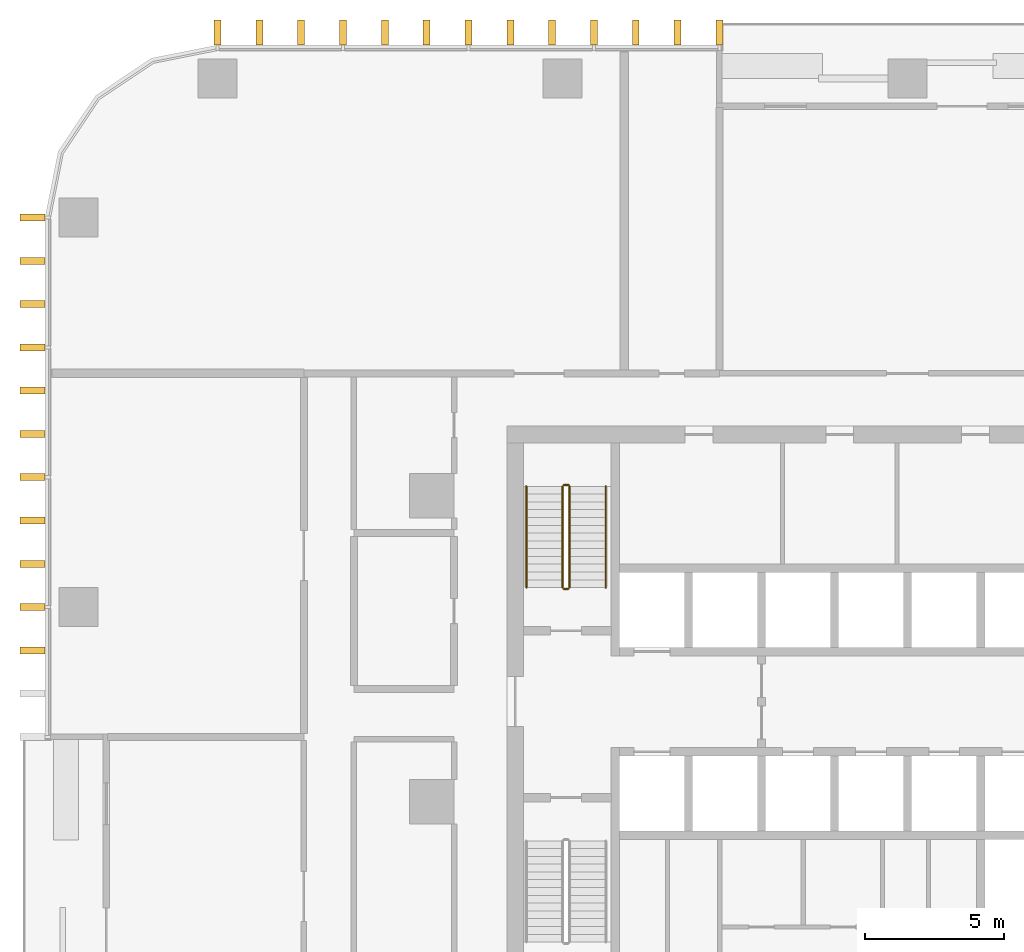
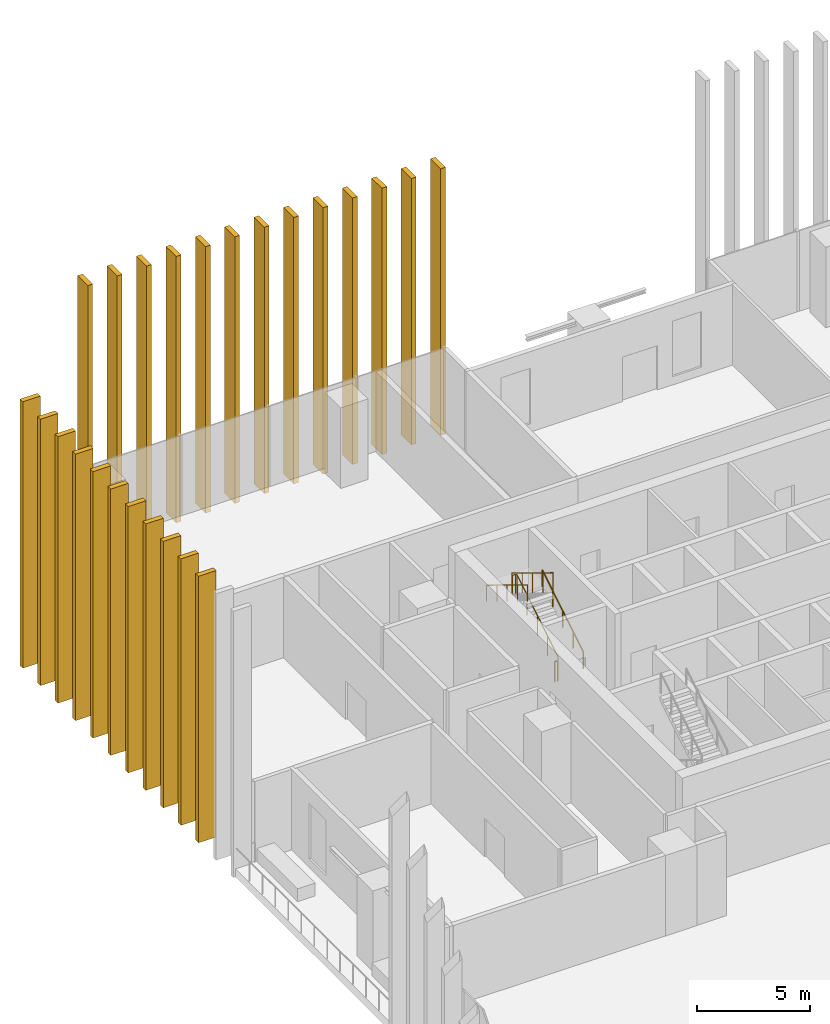
# One storey, part 15 of 17: 24 shading devices, 5 railings.
"""IFC4 building model written with IfcOpenShell, lengths in metres."""

from ifc_helpers import new_model, si_unit, direction, frame, origin, origin_2d, place, context, subcontext, project, spatial, rectangle, circle, extrude, material, type_object, element, save


model = new_model("IFC4")

# Units and contexts
model_context = context("Model", 3, precision=1e-05, world=origin(), true_north=direction((0.0, 1.0)))
body_context = subcontext(model_context, "Body", "Model", "MODEL_VIEW")
ifc_project = project(units=[si_unit("LENGTHUNIT", "METRE"), si_unit("AREAUNIT", "SQUARE_METRE"), si_unit("VOLUMEUNIT", "CUBIC_METRE"), si_unit("PLANEANGLEUNIT", "RADIAN"), si_unit("MASSUNIT", "GRAM", prefix="KILO")], contexts=[model_context])

# Site, building, storey
site_placement = place(None, origin())
site = spatial("IfcSite", under=ifc_project, at=site_placement, CompositionType="ELEMENT")
building_placement = place(site_placement, origin())
building = spatial("IfcBuilding", under=site, at=building_placement, Name="Mopane Tessera Tower", CompositionType="ELEMENT")
storey_placement = place(building_placement, frame((0.0, 0.0, 31.0)))
storey = spatial("IfcBuildingStorey", under=building, at=storey_placement, Name="L05", CompositionType="ELEMENT", Elevation=31.0)

# Shading devices
ifc_material_1 = material(Name="Glazed ceramic tile")
shading_device_type = type_object("IfcShadingDeviceType", Name="Ceramic tile fin 900 x 250 mm", PredefinedType="USERDEFINED", material=ifc_material_1)
for number, where, z_axis, x_axis, name in (
    (1, (-6.763671875, 27.64990234375, -0.449951171875), (0.0, 0.0, 1.0), (-1.0, 0.0, 0.0), "e:fin:L05:N:7:0"),
    (2, (-8.2666015625, 27.64990234375, -0.449951171875), (0.0, 0.0, 1.0), (-1.0, 0.0, 0.0), "e:fin:L05:N:7:1"),
    (3, (-9.769775390625, 27.64990234375, -0.449951171875), (0.0, 0.0, 1.0), (-1.0, 0.0, 0.0), "e:fin:L05:N:7:2"),
    (4, (-11.272705078125, 27.64990234375, -0.449951171875), (0.0, 0.0, 1.0), (-1.0, 0.0, 0.0), "e:fin:L05:N:8:0"),
    (5, (-12.77587890625, 27.64990234375, -0.449951171875), (0.0, 0.0, 1.0), (-1.0, 0.0, 0.0), "e:fin:L05:N:8:1"),
    (6, (-14.27880859375, 27.64990234375, -0.449951171875), (0.0, 0.0, 1.0), (-1.0, 0.0, 0.0), "e:fin:L05:N:8:2"),
    (7, (-15.78173828125, 27.64990234375, -0.449951171875), (0.0, 0.0, 1.0), (-1.0, 0.0, 0.0), "e:fin:L05:N:9:0"),
    (8, (-17.284912109375, 27.64990234375, -0.449951171875), (0.0, 0.0, 1.0), (-1.0, 0.0, 0.0), "e:fin:L05:N:9:1"),
    (9, (-18.787841796875, 27.64990234375, -0.449951171875), (0.0, 0.0, 1.0), (-1.0, 0.0, 0.0), "e:fin:L05:N:9:2"),
    (10, (-20.291015625, 27.64990234375, -0.449951171875), (0.0, 0.0, 1.0), (-1.0, 0.0, 0.0), "e:fin:L05:N:10:0"),
    (11, (-21.7939453125, 27.64990234375, -0.449951171875), (0.0, 0.0, 1.0), (-1.0, 0.0, 0.0), "e:fin:L05:N:10:1"),
    (12, (-23.296875, 27.64990234375, -0.449951171875), (0.0, 0.0, 1.0), (-1.0, 0.0, 0.0), "e:fin:L05:N:10:2"),
    (13, (-24.800048828125, 27.64990234375, -0.449951171875), (0.0, 0.0, 1.0), (-1.0, 0.0, 0.0), "e:fin:L05:N:10:3"),
    (14, (-31.449951171875, 21.0, -0.449951171875), (0.0, 0.0, 1.0), (0.0, -1.0, 0.0), "e:fin:L05:W:0:0"),
    (15, (-31.449951171875, 19.4443359375, -0.449951171875), (0.0, 0.0, 1.0), (0.0, -1.0, 0.0), "e:fin:L05:W:0:1"),
    (16, (-31.449951171875, 17.888916015625, -0.449951171875), (0.0, 0.0, 1.0), (0.0, -1.0, 0.0), "e:fin:L05:W:0:2"),
    (17, (-31.449951171875, 16.333251953125, -0.449951171875), (0.0, 0.0, 1.0), (0.0, -1.0, 0.0), "e:fin:L05:W:1:0"),
    (18, (-31.449951171875, 14.77783203125, -0.449951171875), (0.0, 0.0, 1.0), (0.0, -1.0, 0.0), "e:fin:L05:W:1:1"),
    (19, (-31.449951171875, 13.22216796875, -0.449951171875), (0.0, 0.0, 1.0), (0.0, -1.0, 0.0), "e:fin:L05:W:1:2"),
    (20, (-31.449951171875, 11.666748046875, -0.449951171875), (0.0, 0.0, 1.0), (0.0, -1.0, 0.0), "e:fin:L05:W:2:0"),
    (21, (-31.449951171875, 10.111083984375, -0.449951171875), (0.0, 0.0, 1.0), (0.0, -1.0, 0.0), "e:fin:L05:W:2:1"),
    (22, (-31.449951171875, 8.5556640625, -0.449951171875), (0.0, 0.0, 1.0), (0.0, -1.0, 0.0), "e:fin:L05:W:2:2"),
    (23, (-31.449951171875, 7.0, -0.449951171875), (0.0, 0.0, 1.0), (0.0, -1.0, 0.0), "e:fin:L05:W:3:0"),
    (24, (-31.449951171875, 5.4443359375, -0.449951171875), (0.0, 0.0, 1.0), (0.0, -1.0, 0.0), "e:fin:L05:W:3:1"),
):
    element("IfcShadingDevice", number, at=place(storey_placement, frame(where, z_axis=z_axis, x_axis=x_axis)), inside=storey, type_object=shading_device_type, Name=name, ObjectType="FIN", PredefinedType="USERDEFINED", context=body_context, shape_type="SweptSolid", body=[
        extrude(rectangle(XDim=0.25, YDim=0.89990234375, at=origin_2d()), origin(), (0.0, 0.0, 1.0), 14.39990234375),
    ])

# Railings
ifc_material_2 = material(Name="Powder-coated steel balustrade", Category="steel")
railing_type_1 = type_object("IfcRailingType", Name="Escape stair guard 1100 mm", PredefinedType="GUARDRAIL", material=ifc_material_2)
railing_1_placement = place(storey_placement, frame((-12.14990234375, 7.699951171875, 0.17138671875)))
element("IfcRailing", 25, at=railing_1_placement, inside=storey, type_object=railing_type_1, Name="L05 ST2 stair guard 1", PredefinedType="GUARDRAIL", context=body_context, shape_type="SweptSolid", body=[
    extrude(circle(Radius=0.02392578125, at=origin_2d()), frame((0.0, 0.0, 1.076171875), z_axis=(0.0, 0.852865859571, 0.52213008492), x_axis=(-1.0, 0.0, 0.0)), (0.0, 0.0, 1.0), 4.26806640625),
    extrude(circle(Radius=0.02392578125, at=origin_2d()), frame((0.0, 3.64013671875, 3.3046875), z_axis=(-0.708833529934, 0.705375805398, 0.0), x_axis=(-0.705375805398, -0.708833529934, 0.0)), (0.0, 0.0, 1.0), 0.070556640625),
    extrude(circle(Radius=0.02392578125, at=origin_2d()), frame((-0.050048828125, 3.68994140625, 3.3046875), z_axis=(-1.0, 0.0, 0.0), x_axis=(0.0, -1.0, 0.0)), (0.0, 0.0, 1.0), 0.150146484375),
    extrude(circle(Radius=0.02099609375, at=origin_2d()), origin(), (0.0, 0.0, 1.0), 1.052001953125),
    extrude(circle(Radius=0.02099609375, at=origin_2d()), frame((0.0, 0.91015625, 0.55712890625)), (0.0, 0.0, 1.0), 1.052001953125),
    extrude(circle(Radius=0.02099609375, at=origin_2d()), frame((0.0, 1.820068359375, 1.1142578125)), (0.0, 0.0, 1.0), 1.052001953125),
    extrude(circle(Radius=0.02099609375, at=origin_2d()), frame((0.0, 2.72998046875, 1.67138671875)), (0.0, 0.0, 1.0), 1.052001953125),
    extrude(circle(Radius=0.02099609375, at=origin_2d()), frame((0.0, 3.64013671875, 2.228515625)), (0.0, 0.0, 1.0), 1.052001953125),
    extrude(circle(Radius=0.02099609375, at=origin_2d()), frame((-0.050048828125, 3.68994140625, 2.228515625)), (0.0, 0.0, 1.0), 1.052001953125),
    extrude(circle(Radius=0.02099609375, at=origin_2d()), frame((-0.2001953125, 3.68994140625, 2.228515625)), (0.0, 0.0, 1.0), 1.052001953125),
])
railing_2_placement = place(storey_placement, frame((-12.39990234375, 11.340087890625, 2.571533203125)))
element("IfcRailing", 26, at=railing_2_placement, inside=storey, type_object=railing_type_1, Name="L05 ST2 stair guard 2", PredefinedType="GUARDRAIL", context=body_context, shape_type="SweptSolid", body=[
    extrude(circle(Radius=0.02392578125, at=origin_2d()), frame((0.0, 0.0, 1.076171875), z_axis=(0.0, -0.852865859571, 0.52213008492), x_axis=(1.0, 0.0, 0.0)), (0.0, 0.0, 1.0), 4.26806640625),
    extrude(circle(Radius=0.02099609375, at=origin_2d()), origin(), (0.0, 0.0, 1.0), 1.052001953125),
    extrude(circle(Radius=0.02099609375, at=origin_2d()), frame((0.0, -0.91015625, 0.55712890625)), (0.0, 0.0, 1.0), 1.052001953125),
    extrude(circle(Radius=0.02099609375, at=origin_2d()), frame((0.0, -1.820068359375, 1.1142578125)), (0.0, 0.0, 1.0), 1.052001953125),
    extrude(circle(Radius=0.02099609375, at=origin_2d()), frame((0.0, -2.72998046875, 1.67138671875)), (0.0, 0.0, 1.0), 1.052001953125),
    extrude(circle(Radius=0.02099609375, at=origin_2d()), frame((0.0, -3.64013671875, 2.228515625)), (0.0, 0.0, 1.0), 1.052001953125),
])
railing_3_placement = place(storey_placement, frame((-12.199951171875, 7.64990234375, 0.0)))
element("IfcRailing", 27, at=railing_3_placement, inside=storey, type_object=railing_type_1, Name="L05 ST2 stair guard 3", PredefinedType="GUARDRAIL", context=body_context, shape_type="SweptSolid", body=[
    extrude(circle(Radius=0.02392578125, at=origin_2d()), frame((0.0, 0.0, 1.076171875), z_axis=(-1.0, 0.0, 0.0), x_axis=(0.0, -1.0, 0.0)), (0.0, 0.0, 1.0), 0.150146484375),
    extrude(circle(Radius=0.02099609375, at=origin_2d()), origin(), (0.0, 0.0, 1.0), 1.052001953125),
    extrude(circle(Radius=0.02099609375, at=origin_2d()), frame((-0.150146484375, 0.0, 0.0)), (0.0, 0.0, 1.0), 1.052001953125),
])
ifc_material_3 = material(Name="Powder-coated steel balustrade", Category="steel")
railing_type_2 = type_object("IfcRailingType", Name="Escape stair handrail 900 mm", PredefinedType="HANDRAIL", material=ifc_material_3)
railing_4_placement = place(storey_placement, frame((-10.85009765625, 7.699951171875, 0.17138671875)))
element("IfcRailing", 28, at=railing_4_placement, inside=storey, type_object=railing_type_2, Name="L05 ST2 stair handrail 1", PredefinedType="HANDRAIL", context=body_context, shape_type="SweptSolid", body=[
    extrude(circle(Radius=0.02392578125, at=origin_2d()), frame((0.0, 0.0, 0.8759765625), z_axis=(0.0, 0.852865859571, 0.52213008492), x_axis=(-1.0, 0.0, 0.0)), (0.0, 0.0, 1.0), 4.26806640625),
    extrude(circle(Radius=0.02099609375, at=origin_2d()), origin(), (0.0, 0.0, 1.0), 0.851806640625),
    extrude(circle(Radius=0.02099609375, at=origin_2d()), frame((0.0, 0.91015625, 0.55712890625)), (0.0, 0.0, 1.0), 0.851806640625),
    extrude(circle(Radius=0.02099609375, at=origin_2d()), frame((0.0, 1.820068359375, 1.1142578125)), (0.0, 0.0, 1.0), 0.851806640625),
    extrude(circle(Radius=0.02099609375, at=origin_2d()), frame((0.0, 2.72998046875, 1.67138671875)), (0.0, 0.0, 1.0), 0.851806640625),
    extrude(circle(Radius=0.02099609375, at=origin_2d()), frame((0.0, 3.64013671875, 2.228515625)), (0.0, 0.0, 1.0), 0.851806640625),
])
railing_5_placement = place(storey_placement, frame((-13.699951171875, 11.340087890625, 2.571533203125)))
element("IfcRailing", 29, at=railing_5_placement, inside=storey, type_object=railing_type_2, Name="L05 ST2 stair handrail 2", PredefinedType="HANDRAIL", context=body_context, shape_type="SweptSolid", body=[
    extrude(circle(Radius=0.02392578125, at=origin_2d()), frame((0.0, 0.0, 0.8759765625), z_axis=(0.0, -0.852865859571, 0.52213008492), x_axis=(1.0, 0.0, 0.0)), (0.0, 0.0, 1.0), 4.26806640625),
    extrude(circle(Radius=0.02099609375, at=origin_2d()), origin(), (0.0, 0.0, 1.0), 0.851806640625),
    extrude(circle(Radius=0.02099609375, at=origin_2d()), frame((0.0, -0.91015625, 0.55712890625)), (0.0, 0.0, 1.0), 0.851806640625),
    extrude(circle(Radius=0.02099609375, at=origin_2d()), frame((0.0, -1.820068359375, 1.1142578125)), (0.0, 0.0, 1.0), 0.851806640625),
    extrude(circle(Radius=0.02099609375, at=origin_2d()), frame((0.0, -2.72998046875, 1.67138671875)), (0.0, 0.0, 1.0), 0.851806640625),
    extrude(circle(Radius=0.02099609375, at=origin_2d()), frame((0.0, -3.64013671875, 2.228515625)), (0.0, 0.0, 1.0), 0.851806640625),
])

save(model, "model.ifc")
